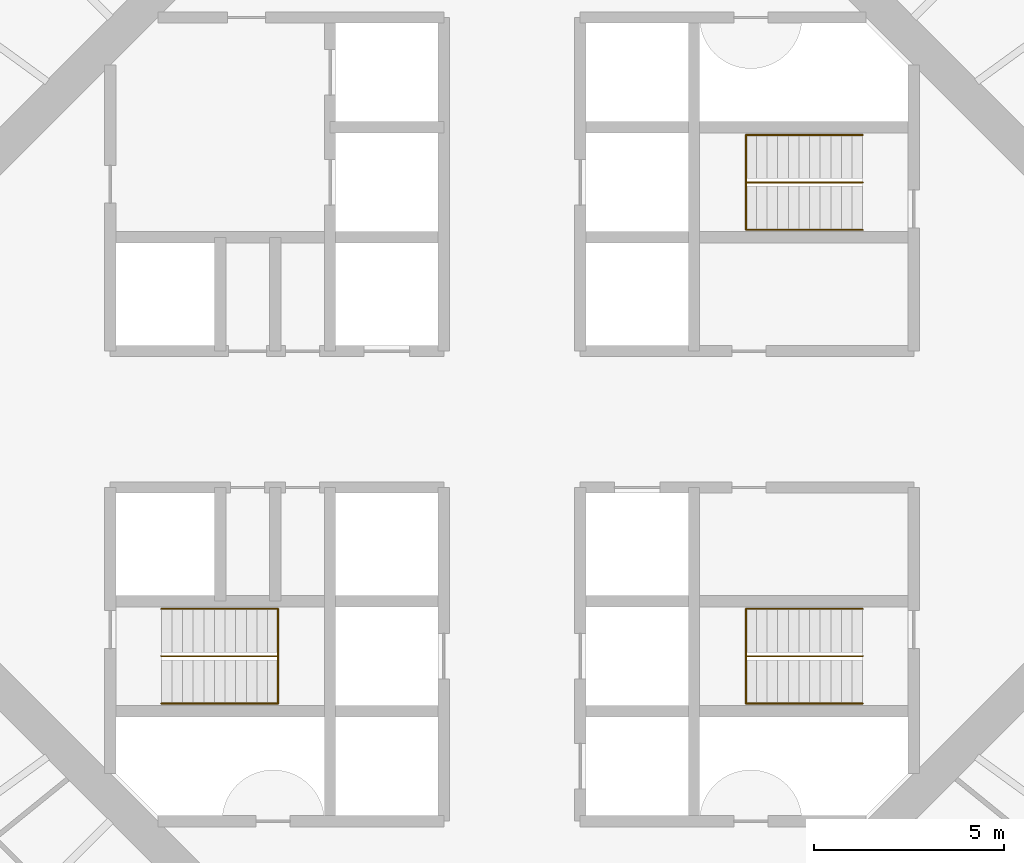
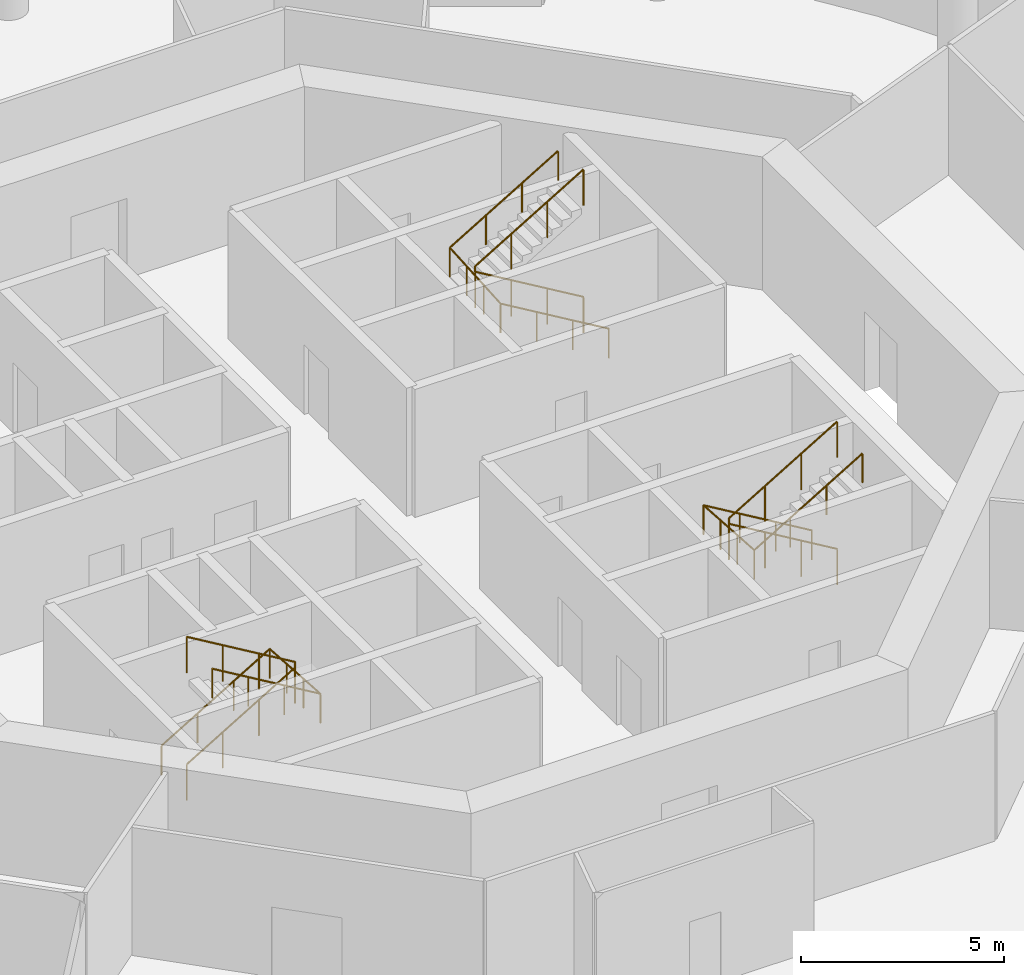
# One storey, part 12 of 12: 6 railings.
"""IFC4 building model written with IfcOpenShell, lengths in metres."""

from ifc_helpers import new_model, si_unit, direction, frame, origin, origin_2d, place, context, subcontext, project, spatial, circle, extrude, material, type_object, element, save


model = new_model("IFC4")

# Units and contexts
model_context = context("Model", 3, precision=1e-05, world=origin(), true_north=direction((0.0, 1.0)))
body_context = subcontext(model_context, "Body", "Model", "MODEL_VIEW")
ifc_project = project(units=[si_unit("LENGTHUNIT", "METRE"), si_unit("AREAUNIT", "SQUARE_METRE"), si_unit("VOLUMEUNIT", "CUBIC_METRE"), si_unit("PLANEANGLEUNIT", "RADIAN"), si_unit("MASSUNIT", "GRAM", prefix="KILO")], contexts=[model_context])

# Site, building, storey
site_placement = place(None, origin())
site = spatial("IfcSite", under=ifc_project, at=site_placement, CompositionType="ELEMENT")
building_placement = place(site_placement, origin())
building = spatial("IfcBuilding", under=site, at=building_placement, Name="Entoto Ring Tower", CompositionType="ELEMENT")
storey_placement = place(building_placement, frame((0.0, 0.0, 242.0)))
storey = spatial("IfcBuildingStorey", under=building, at=storey_placement, Name="L55", CompositionType="ELEMENT", Elevation=242.0)

# Railings
ifc_material_1 = material(Name="Steel S275", Category="steel")
railing_type_1 = type_object("IfcRailingType", Name="Stair guard 1100 mm steel", PredefinedType="GUARDRAIL", material=ifc_material_1)
railing_1_placement = place(storey_placement, frame((99.25, 86.25, 0.166748046875)))
element("IfcRailing", 1, at=railing_1_placement, inside=storey, type_object=railing_type_1, Name="Guard ST1", PredefinedType="GUARDRAIL", context=body_context, shape_type="SweptSolid", body=[
    extrude(circle(Radius=0.02392578125, at=origin_2d()), frame((0.0, 0.0, 1.076171875), z_axis=(-0.859308565015, 0.0, 0.511457515432), x_axis=(0.0, -1.0, 0.0)), (0.0, 0.0, 1.0), 3.58447265625),
    extrude(circle(Radius=0.02392578125, at=origin_2d()), frame((-3.080078125, 0.0, 2.9091796875), z_axis=(0.0, 0.0, 1.0), x_axis=(1.0, 0.0, 0.0)), (0.0, 0.0, 1.0), 0.166748046875),
    extrude(circle(Radius=0.02392578125, at=origin_2d()), frame((-3.080078125, 0.0, 3.076171875), z_axis=(0.859308565015, 0.0, 0.511457515432), x_axis=(0.0, 1.0, 0.0)), (0.0, 0.0, 1.0), 3.58447265625),
    extrude(circle(Radius=0.02099609375, at=origin_2d()), origin(), (0.0, 0.0, 1.0), 1.052001953125),
    extrude(circle(Radius=0.02099609375, at=origin_2d()), frame((-1.026611328125, 0.0, 0.611083984375)), (0.0, 0.0, 1.0), 1.052001953125),
    extrude(circle(Radius=0.02099609375, at=origin_2d()), frame((-2.053466796875, 0.0, 1.22216796875)), (0.0, 0.0, 1.0), 1.052001953125),
    extrude(circle(Radius=0.02099609375, at=origin_2d()), frame((-3.080078125, 0.0, 1.833251953125)), (0.0, 0.0, 1.0), 1.052001953125),
    extrude(circle(Radius=0.02099609375, at=origin_2d()), frame((-3.080078125, 0.0, 2.0)), (0.0, 0.0, 1.0), 1.052001953125),
    extrude(circle(Radius=0.02099609375, at=origin_2d()), frame((-2.053466796875, 0.0, 2.611083984375)), (0.0, 0.0, 1.0), 1.052001953125),
    extrude(circle(Radius=0.02099609375, at=origin_2d()), frame((-1.026611328125, 0.0, 3.22216796875)), (0.0, 0.0, 1.0), 1.052001953125),
    extrude(circle(Radius=0.02099609375, at=origin_2d()), frame((0.0, 0.0, 3.833251953125)), (0.0, 0.0, 1.0), 1.052001953125),
])
railing_2_placement = place(storey_placement, frame((80.75, 73.75, 0.166748046875)))
element("IfcRailing", 2, at=railing_2_placement, inside=storey, type_object=railing_type_1, Name="Guard ST2", PredefinedType="GUARDRAIL", context=body_context, shape_type="SweptSolid", body=[
    extrude(circle(Radius=0.02392578125, at=origin_2d()), frame((0.0, 0.0, 1.076171875), z_axis=(0.859308565015, 0.0, 0.511457515432), x_axis=(0.0, 1.0, 0.0)), (0.0, 0.0, 1.0), 3.58447265625),
    extrude(circle(Radius=0.02392578125, at=origin_2d()), frame((3.080078125, 0.0, 2.9091796875), z_axis=(0.0, 0.0, 1.0), x_axis=(1.0, 0.0, 0.0)), (0.0, 0.0, 1.0), 0.166748046875),
    extrude(circle(Radius=0.02392578125, at=origin_2d()), frame((3.080078125, 0.0, 3.076171875), z_axis=(-0.859308565015, 0.0, 0.511457515432), x_axis=(0.0, -1.0, 0.0)), (0.0, 0.0, 1.0), 3.58447265625),
    extrude(circle(Radius=0.02099609375, at=origin_2d()), origin(), (0.0, 0.0, 1.0), 1.052001953125),
    extrude(circle(Radius=0.02099609375, at=origin_2d()), frame((1.026611328125, 0.0, 0.611083984375)), (0.0, 0.0, 1.0), 1.052001953125),
    extrude(circle(Radius=0.02099609375, at=origin_2d()), frame((2.053466796875, 0.0, 1.22216796875)), (0.0, 0.0, 1.0), 1.052001953125),
    extrude(circle(Radius=0.02099609375, at=origin_2d()), frame((3.080078125, 0.0, 1.833251953125)), (0.0, 0.0, 1.0), 1.052001953125),
    extrude(circle(Radius=0.02099609375, at=origin_2d()), frame((3.080078125, 0.0, 2.0)), (0.0, 0.0, 1.0), 1.052001953125),
    extrude(circle(Radius=0.02099609375, at=origin_2d()), frame((2.053466796875, 0.0, 2.611083984375)), (0.0, 0.0, 1.0), 1.052001953125),
    extrude(circle(Radius=0.02099609375, at=origin_2d()), frame((1.026611328125, 0.0, 3.22216796875)), (0.0, 0.0, 1.0), 1.052001953125),
    extrude(circle(Radius=0.02099609375, at=origin_2d()), frame((0.0, 0.0, 3.833251953125)), (0.0, 0.0, 1.0), 1.052001953125),
])
railing_3_placement = place(storey_placement, frame((99.25, 73.75, 0.166748046875)))
element("IfcRailing", 3, at=railing_3_placement, inside=storey, type_object=railing_type_1, Name="Guard ST3", PredefinedType="GUARDRAIL", context=body_context, shape_type="SweptSolid", body=[
    extrude(circle(Radius=0.02392578125, at=origin_2d()), frame((0.0, 0.0, 1.076171875), z_axis=(-0.859308565015, 0.0, 0.511457515432), x_axis=(0.0, -1.0, 0.0)), (0.0, 0.0, 1.0), 3.58447265625),
    extrude(circle(Radius=0.02392578125, at=origin_2d()), frame((-3.080078125, 0.0, 2.9091796875), z_axis=(0.0, 0.0, 1.0), x_axis=(1.0, 0.0, 0.0)), (0.0, 0.0, 1.0), 0.166748046875),
    extrude(circle(Radius=0.02392578125, at=origin_2d()), frame((-3.080078125, 0.0, 3.076171875), z_axis=(0.859308565015, 0.0, 0.511457515432), x_axis=(0.0, 1.0, 0.0)), (0.0, 0.0, 1.0), 3.58447265625),
    extrude(circle(Radius=0.02099609375, at=origin_2d()), origin(), (0.0, 0.0, 1.0), 1.052001953125),
    extrude(circle(Radius=0.02099609375, at=origin_2d()), frame((-1.026611328125, 0.0, 0.611083984375)), (0.0, 0.0, 1.0), 1.052001953125),
    extrude(circle(Radius=0.02099609375, at=origin_2d()), frame((-2.053466796875, 0.0, 1.22216796875)), (0.0, 0.0, 1.0), 1.052001953125),
    extrude(circle(Radius=0.02099609375, at=origin_2d()), frame((-3.080078125, 0.0, 1.833251953125)), (0.0, 0.0, 1.0), 1.052001953125),
    extrude(circle(Radius=0.02099609375, at=origin_2d()), frame((-3.080078125, 0.0, 2.0)), (0.0, 0.0, 1.0), 1.052001953125),
    extrude(circle(Radius=0.02099609375, at=origin_2d()), frame((-2.053466796875, 0.0, 2.611083984375)), (0.0, 0.0, 1.0), 1.052001953125),
    extrude(circle(Radius=0.02099609375, at=origin_2d()), frame((-1.026611328125, 0.0, 3.22216796875)), (0.0, 0.0, 1.0), 1.052001953125),
    extrude(circle(Radius=0.02099609375, at=origin_2d()), frame((0.0, 0.0, 3.833251953125)), (0.0, 0.0, 1.0), 1.052001953125),
])
ifc_material_2 = material(Name="Steel S275", Category="steel")
railing_type_2 = type_object("IfcRailingType", Name="Stair handrail 900 mm steel", PredefinedType="HANDRAIL", material=ifc_material_2)
railing_4_placement = place(storey_placement, frame((99.25, 85.0, 0.166748046875)))
element("IfcRailing", 4, at=railing_4_placement, inside=storey, type_object=railing_type_2, Name="Handrail ST1", PredefinedType="HANDRAIL", context=body_context, shape_type="SweptSolid", body=[
    extrude(circle(Radius=0.02392578125, at=origin_2d()), frame((0.0, 0.0, 0.8759765625), z_axis=(-0.859308565015, 0.0, 0.511457515432), x_axis=(0.0, -1.0, 0.0)), (0.0, 0.0, 1.0), 3.58447265625),
    extrude(circle(Radius=0.02392578125, at=origin_2d()), frame((-3.080078125, 0.0, 2.708984375), z_axis=(0.0, 0.997783001586, 0.066551346688), x_axis=(-1.0, 0.0, 0.0)), (0.0, 0.0, 1.0), 2.505615234375),
    extrude(circle(Radius=0.02392578125, at=origin_2d()), frame((-3.080078125, 2.5, 2.8759765625), z_axis=(0.859308565015, 0.0, 0.511457515432), x_axis=(0.0, 1.0, 0.0)), (0.0, 0.0, 1.0), 3.58447265625),
    extrude(circle(Radius=0.02099609375, at=origin_2d()), origin(), (0.0, 0.0, 1.0), 0.851806640625),
    extrude(circle(Radius=0.02099609375, at=origin_2d()), frame((-1.026611328125, 0.0, 0.611083984375)), (0.0, 0.0, 1.0), 0.851806640625),
    extrude(circle(Radius=0.02099609375, at=origin_2d()), frame((-2.053466796875, 0.0, 1.22216796875)), (0.0, 0.0, 1.0), 0.851806640625),
    extrude(circle(Radius=0.02099609375, at=origin_2d()), frame((-3.080078125, 0.0, 1.833251953125)), (0.0, 0.0, 1.0), 0.851806640625),
    extrude(circle(Radius=0.02099609375, at=origin_2d()), frame((-3.080078125, 0.833251953125, 1.888916015625)), (0.0, 0.0, 1.0), 0.851806640625),
    extrude(circle(Radius=0.02099609375, at=origin_2d()), frame((-3.080078125, 1.666748046875, 1.9443359375)), (0.0, 0.0, 1.0), 0.851806640625),
    extrude(circle(Radius=0.02099609375, at=origin_2d()), frame((-3.080078125, 2.5, 2.0)), (0.0, 0.0, 1.0), 0.851806640625),
    extrude(circle(Radius=0.02099609375, at=origin_2d()), frame((-2.053466796875, 2.5, 2.611083984375)), (0.0, 0.0, 1.0), 0.851806640625),
    extrude(circle(Radius=0.02099609375, at=origin_2d()), frame((-1.026611328125, 2.5, 3.22216796875)), (0.0, 0.0, 1.0), 0.851806640625),
    extrude(circle(Radius=0.02099609375, at=origin_2d()), frame((0.0, 2.5, 3.833251953125)), (0.0, 0.0, 1.0), 0.851806640625),
])
railing_5_placement = place(storey_placement, frame((80.75, 75.0, 0.166748046875)))
element("IfcRailing", 5, at=railing_5_placement, inside=storey, type_object=railing_type_2, Name="Handrail ST2", PredefinedType="HANDRAIL", context=body_context, shape_type="SweptSolid", body=[
    extrude(circle(Radius=0.02392578125, at=origin_2d()), frame((0.0, 0.0, 0.8759765625), z_axis=(0.859308565015, 0.0, 0.511457515432), x_axis=(0.0, 1.0, 0.0)), (0.0, 0.0, 1.0), 3.58447265625),
    extrude(circle(Radius=0.02392578125, at=origin_2d()), frame((3.080078125, 0.0, 2.708984375), z_axis=(0.0, -0.997783001586, 0.066551346688), x_axis=(1.0, 0.0, 0.0)), (0.0, 0.0, 1.0), 2.505615234375),
    extrude(circle(Radius=0.02392578125, at=origin_2d()), frame((3.080078125, -2.5, 2.8759765625), z_axis=(-0.859308565015, 0.0, 0.511457515432), x_axis=(0.0, -1.0, 0.0)), (0.0, 0.0, 1.0), 3.58447265625),
    extrude(circle(Radius=0.02099609375, at=origin_2d()), origin(), (0.0, 0.0, 1.0), 0.851806640625),
    extrude(circle(Radius=0.02099609375, at=origin_2d()), frame((1.026611328125, 0.0, 0.611083984375)), (0.0, 0.0, 1.0), 0.851806640625),
    extrude(circle(Radius=0.02099609375, at=origin_2d()), frame((2.053466796875, 0.0, 1.22216796875)), (0.0, 0.0, 1.0), 0.851806640625),
    extrude(circle(Radius=0.02099609375, at=origin_2d()), frame((3.080078125, 0.0, 1.833251953125)), (0.0, 0.0, 1.0), 0.851806640625),
    extrude(circle(Radius=0.02099609375, at=origin_2d()), frame((3.080078125, -0.833251953125, 1.888916015625)), (0.0, 0.0, 1.0), 0.851806640625),
    extrude(circle(Radius=0.02099609375, at=origin_2d()), frame((3.080078125, -1.666748046875, 1.9443359375)), (0.0, 0.0, 1.0), 0.851806640625),
    extrude(circle(Radius=0.02099609375, at=origin_2d()), frame((3.080078125, -2.5, 2.0)), (0.0, 0.0, 1.0), 0.851806640625),
    extrude(circle(Radius=0.02099609375, at=origin_2d()), frame((2.053466796875, -2.5, 2.611083984375)), (0.0, 0.0, 1.0), 0.851806640625),
    extrude(circle(Radius=0.02099609375, at=origin_2d()), frame((1.026611328125, -2.5, 3.22216796875)), (0.0, 0.0, 1.0), 0.851806640625),
    extrude(circle(Radius=0.02099609375, at=origin_2d()), frame((0.0, -2.5, 3.833251953125)), (0.0, 0.0, 1.0), 0.851806640625),
])
railing_6_placement = place(storey_placement, frame((99.25, 75.0, 0.166748046875)))
element("IfcRailing", 6, at=railing_6_placement, inside=storey, type_object=railing_type_2, Name="Handrail ST3", PredefinedType="HANDRAIL", context=body_context, shape_type="SweptSolid", body=[
    extrude(circle(Radius=0.02392578125, at=origin_2d()), frame((0.0, 0.0, 0.8759765625), z_axis=(-0.859308565015, 0.0, 0.511457515432), x_axis=(0.0, -1.0, 0.0)), (0.0, 0.0, 1.0), 3.58447265625),
    extrude(circle(Radius=0.02392578125, at=origin_2d()), frame((-3.080078125, 0.0, 2.708984375), z_axis=(0.0, -0.997783001586, 0.066551346688), x_axis=(1.0, 0.0, 0.0)), (0.0, 0.0, 1.0), 2.505615234375),
    extrude(circle(Radius=0.02392578125, at=origin_2d()), frame((-3.080078125, -2.5, 2.8759765625), z_axis=(0.859308565015, 0.0, 0.511457515432), x_axis=(0.0, 1.0, 0.0)), (0.0, 0.0, 1.0), 3.58447265625),
    extrude(circle(Radius=0.02099609375, at=origin_2d()), origin(), (0.0, 0.0, 1.0), 0.851806640625),
    extrude(circle(Radius=0.02099609375, at=origin_2d()), frame((-1.026611328125, 0.0, 0.611083984375)), (0.0, 0.0, 1.0), 0.851806640625),
    extrude(circle(Radius=0.02099609375, at=origin_2d()), frame((-2.053466796875, 0.0, 1.22216796875)), (0.0, 0.0, 1.0), 0.851806640625),
    extrude(circle(Radius=0.02099609375, at=origin_2d()), frame((-3.080078125, 0.0, 1.833251953125)), (0.0, 0.0, 1.0), 0.851806640625),
    extrude(circle(Radius=0.02099609375, at=origin_2d()), frame((-3.080078125, -0.833251953125, 1.888916015625)), (0.0, 0.0, 1.0), 0.851806640625),
    extrude(circle(Radius=0.02099609375, at=origin_2d()), frame((-3.080078125, -1.666748046875, 1.9443359375)), (0.0, 0.0, 1.0), 0.851806640625),
    extrude(circle(Radius=0.02099609375, at=origin_2d()), frame((-3.080078125, -2.5, 2.0)), (0.0, 0.0, 1.0), 0.851806640625),
    extrude(circle(Radius=0.02099609375, at=origin_2d()), frame((-2.053466796875, -2.5, 2.611083984375)), (0.0, 0.0, 1.0), 0.851806640625),
    extrude(circle(Radius=0.02099609375, at=origin_2d()), frame((-1.026611328125, -2.5, 3.22216796875)), (0.0, 0.0, 1.0), 0.851806640625),
    extrude(circle(Radius=0.02099609375, at=origin_2d()), frame((0.0, -2.5, 3.833251953125)), (0.0, 0.0, 1.0), 0.851806640625),
])

save(model, "model.ifc")
